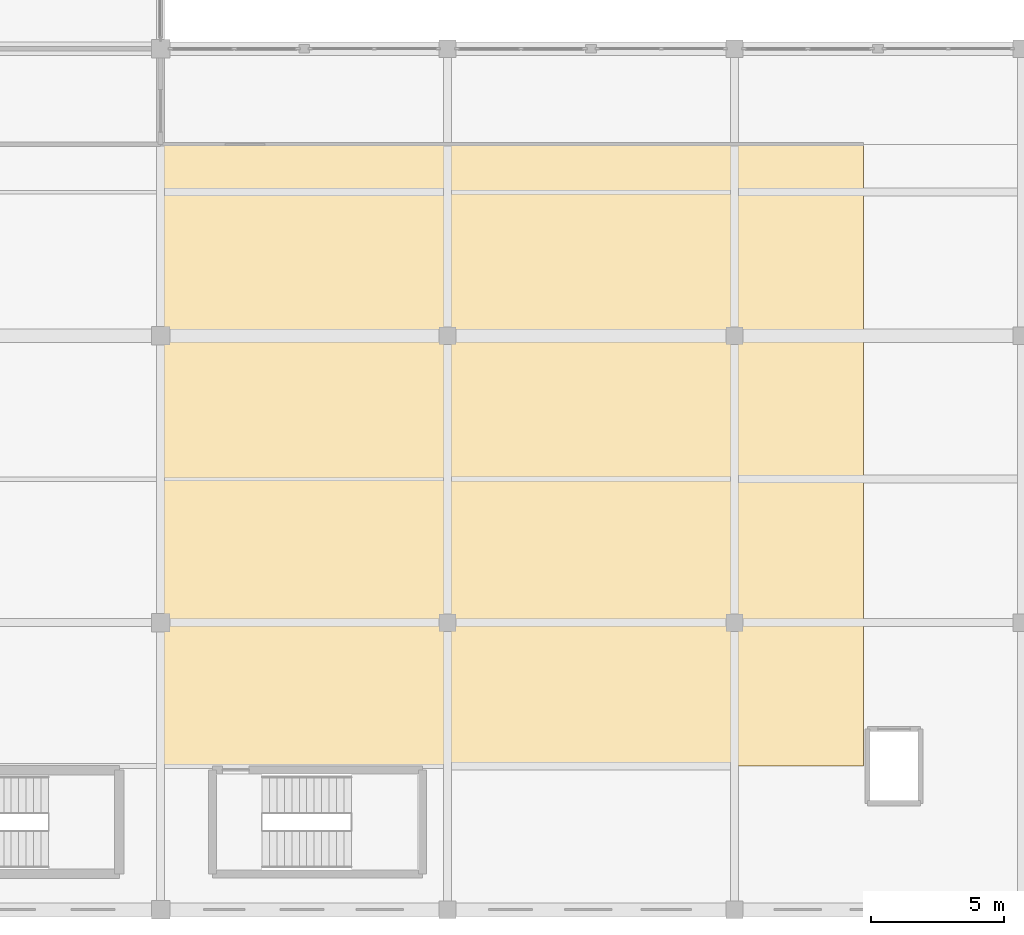
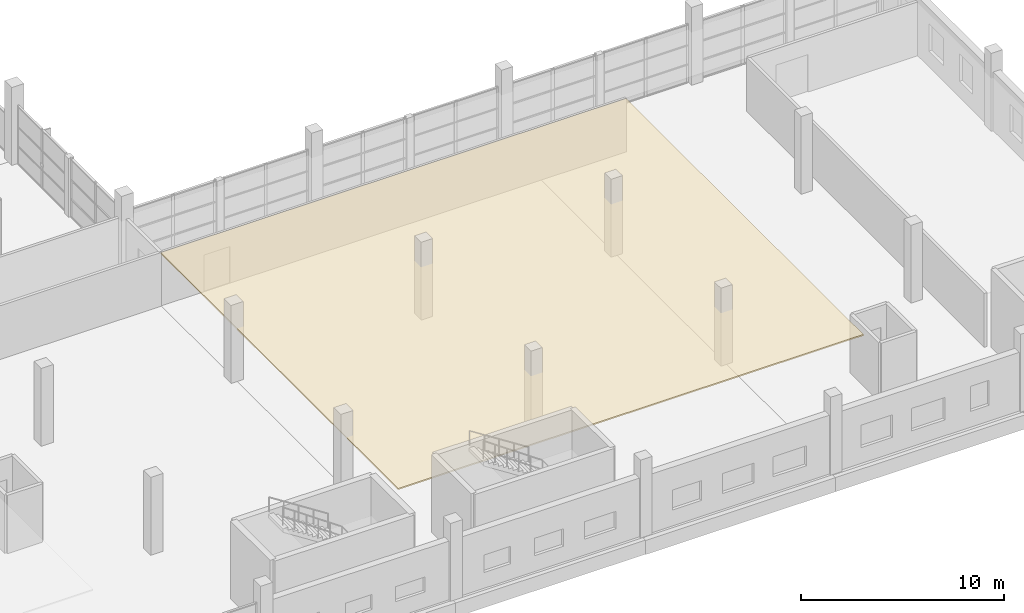
# One storey, part 138 of 142: 1 covering.
"""IFC4 building model written with IfcOpenShell, lengths in metres."""

from ifc_helpers import new_model, si_unit, direction, frame, origin, place, context, subcontext, project, spatial, polyline, outline, extrude, material, layer, layer_set, type_object, element, save


model = new_model("IFC4")

# Units and contexts
model_context = context("Model", 3, precision=1e-05, world=origin(), true_north=direction((0.0, 1.0)))
body_context = subcontext(model_context, "Body", "Model", "MODEL_VIEW")
ifc_project = project(units=[si_unit("LENGTHUNIT", "METRE"), si_unit("AREAUNIT", "SQUARE_METRE"), si_unit("VOLUMEUNIT", "CUBIC_METRE"), si_unit("PLANEANGLEUNIT", "RADIAN"), si_unit("MASSUNIT", "GRAM", prefix="KILO")], contexts=[model_context])

# Site, building, storey
site_placement = place(None, origin())
site = spatial("IfcSite", under=ifc_project, at=site_placement, CompositionType="ELEMENT")
building_placement = place(site_placement, origin())
building = spatial("IfcBuilding", under=site, at=building_placement, Name="Zwinboog Wholesale Market", CompositionType="ELEMENT")
storey_placement = place(building_placement, frame((0.0, 0.0, 5.39990234375)))
storey = spatial("IfcBuildingStorey", under=building, at=storey_placement, Name="L01", CompositionType="ELEMENT", Elevation=5.39990234375)

# Covering
ifc_material = material(Name="Western red cedar acoustic baffle ceiling", Category="wood")
ifc_layer = layer(ifc_material, 0.080078125)
ifc_layer_set = layer_set([ifc_layer], Name="Western red cedar acoustic baffle ceiling")
covering_type = type_object("IfcCoveringType", Name="COV-CEIL-CEDAR", PredefinedType="CEILING", material=ifc_layer_set)
covering_placement = place(storey_placement, frame((0.0, 0.0, 3.10009765625)))
element("IfcCovering", 1, at=covering_placement, inside=storey, type_object=covering_type, Name="CL-01 (COV-CL-L01-033)", PredefinedType="CEILING", context=body_context, shape_type="SweptSolid", body=[
    extrude(outline(polyline([(172.800048828125, 5.39990234375), (199.25, 5.39990234375), (199.25, 28.800048828125), (172.800048828125, 28.800048828125), (172.800048828125, 5.39990234375)])), origin(), (0.0, 0.0, 1.0), 0.080078125),
])

save(model, "model.ifc")
